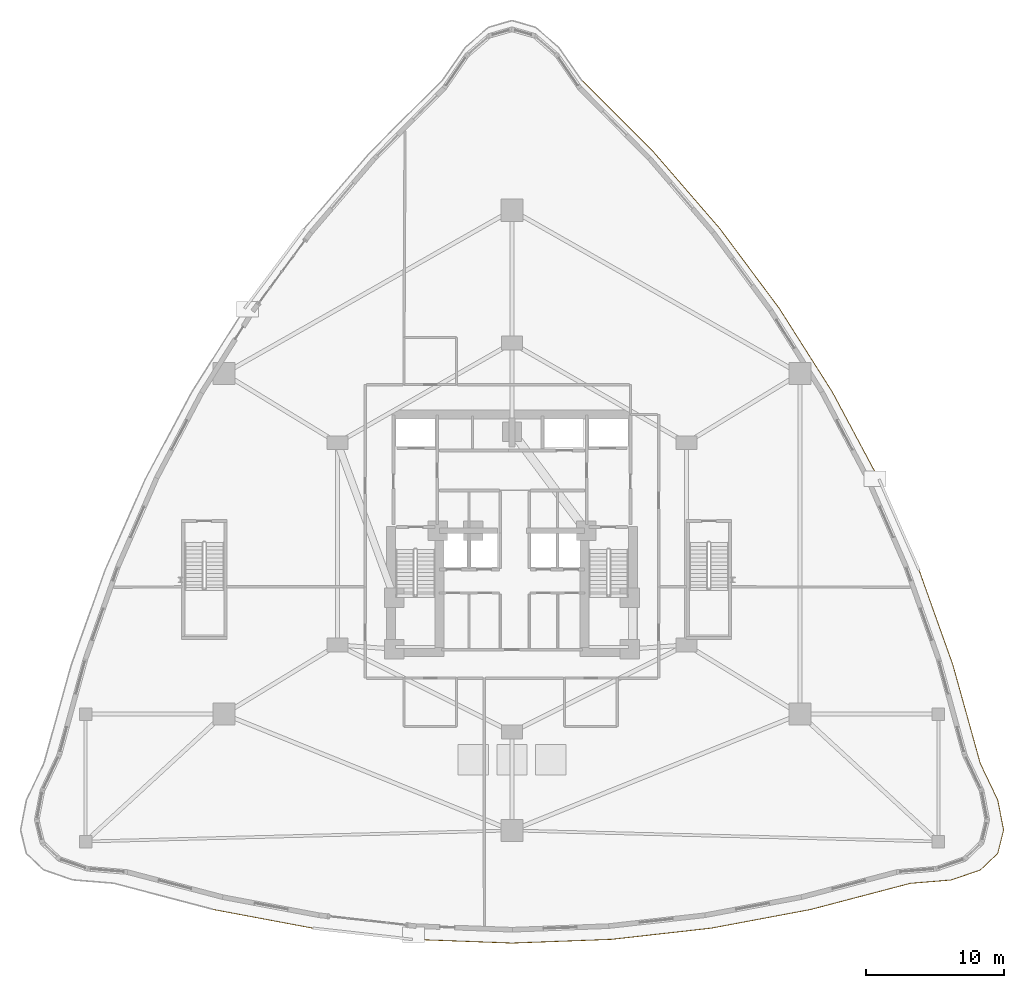
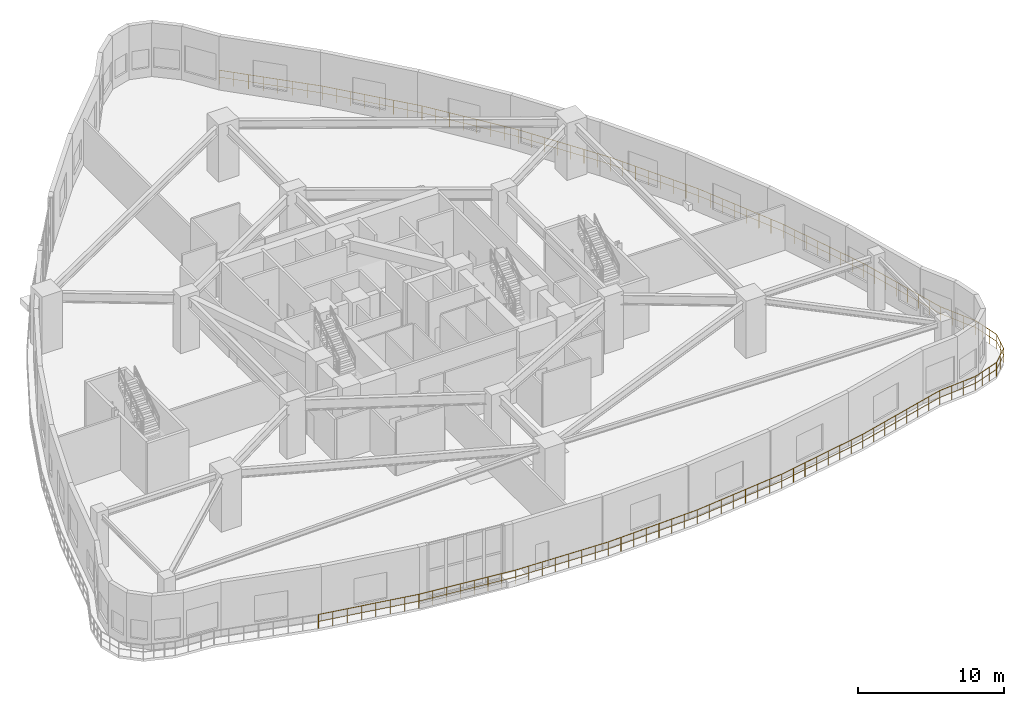
# One storey, part 21 of 23: 1 railing.
"""IFC4 building model written with IfcOpenShell, lengths in metres."""

from ifc_helpers import new_model, si_unit, direction, frame, origin, origin_2d, place, context, subcontext, project, spatial, circle, extrude, material, type_object, element, save


model = new_model("IFC4")

# Units and contexts
model_context = context("Model", 3, precision=1e-05, world=origin(), true_north=direction((0.0, 1.0)))
body_context = subcontext(model_context, "Body", "Model", "MODEL_VIEW")
ifc_project = project(units=[si_unit("LENGTHUNIT", "METRE"), si_unit("AREAUNIT", "SQUARE_METRE"), si_unit("VOLUMEUNIT", "CUBIC_METRE"), si_unit("PLANEANGLEUNIT", "RADIAN"), si_unit("MASSUNIT", "GRAM", prefix="KILO")], contexts=[model_context])

# Site, building, storey
site_placement = place(None, origin())
site = spatial("IfcSite", under=ifc_project, at=site_placement, CompositionType="ELEMENT")
building_placement = place(site_placement, origin())
building = spatial("IfcBuilding", under=site, at=building_placement, Name="Miruveldt Soraemaru", CompositionType="ELEMENT")
storey_placement = place(building_placement, frame((0.0, 0.0, 9.60009765625)))
storey = spatial("IfcBuildingStorey", under=building, at=storey_placement, Name="L03", CompositionType="ELEMENT", Elevation=9.60009765625)

# Railing
ifc_material = material(Name="Anodised aluminium EN AW-6063 T6", Category="aluminium")
railing_type = type_object("IfcRailingType", Name="RAIL-GUARD-1200", PredefinedType="GUARDRAIL", material=ifc_material)
railing_placement = place(storey_placement, frame((22.419189453125, 16.686279296875, 0.0)))
element("IfcRailing", 1, at=railing_placement, inside=storey, type_object=railing_type, Name="L03 Planted Terrace Perimeter Guardrail (B)", PredefinedType="GUARDRAIL", context=body_context, shape_type="SweptSolid", body=[
    extrude(circle(Radius=0.02392578125, at=origin_2d()), frame((0.0, 0.0, 1.17578125), z_axis=(0.982870298739, -0.184298605143, 0.0), x_axis=(0.184298605143, 0.982870298739, 0.0)), (0.0, 0.0, 1.0), 7.319091796875),
    extrude(circle(Radius=0.01611328125, at=origin_2d()), frame((0.0, 0.0, 0.60009765625), z_axis=(0.982870298739, -0.184298605143, 0.0), x_axis=(0.184298605143, 0.982870298739, 0.0)), (0.0, 0.0, 1.0), 7.319091796875),
    extrude(circle(Radius=0.02392578125, at=origin_2d()), frame((7.193603515625, -1.348876953125, 1.17578125), z_axis=(0.993730613627, -0.11180101762, 0.0), x_axis=(0.11180101762, 0.993730613627, 0.0)), (0.0, 0.0, 1.0), 7.239013671875),
    extrude(circle(Radius=0.01611328125, at=origin_2d()), frame((7.193603515625, -1.348876953125, 0.60009765625), z_axis=(0.993730613627, -0.11180101762, 0.0), x_axis=(0.11180101762, 0.993730613627, 0.0)), (0.0, 0.0, 1.0), 7.239013671875),
    extrude(circle(Radius=0.02392578125, at=origin_2d()), frame((14.38720703125, -2.158203125, 1.17578125), z_axis=(0.999297536331, -0.037475777283, 0.0), x_axis=(0.037475777283, 0.999297536331, 0.0)), (0.0, 0.0, 1.0), 7.19873046875),
    extrude(circle(Radius=0.01611328125, at=origin_2d()), frame((14.38720703125, -2.158203125, 0.60009765625), z_axis=(0.999297536331, -0.037475777283, 0.0), x_axis=(0.037475777283, 0.999297536331, 0.0)), (0.0, 0.0, 1.0), 7.19873046875),
    extrude(circle(Radius=0.02392578125, at=origin_2d()), frame((21.580810546875, -2.427978515625, 1.17578125), z_axis=(0.999297536331, 0.037475777283, 0.0), x_axis=(-0.037475777283, 0.999297536331, 0.0)), (0.0, 0.0, 1.0), 7.19873046875),
    extrude(circle(Radius=0.01611328125, at=origin_2d()), frame((21.580810546875, -2.427978515625, 0.60009765625), z_axis=(0.999297536331, 0.037475777283, 0.0), x_axis=(-0.037475777283, 0.999297536331, 0.0)), (0.0, 0.0, 1.0), 7.19873046875),
    extrude(circle(Radius=0.02392578125, at=origin_2d()), frame((28.7744140625, -2.158203125, 1.17578125), z_axis=(0.993730613627, 0.11180101762, 0.0), x_axis=(-0.11180101762, 0.993730613627, 0.0)), (0.0, 0.0, 1.0), 7.239013671875),
    extrude(circle(Radius=0.01611328125, at=origin_2d()), frame((28.7744140625, -2.158203125, 0.60009765625), z_axis=(0.993730613627, 0.11180101762, 0.0), x_axis=(-0.11180101762, 0.993730613627, 0.0)), (0.0, 0.0, 1.0), 7.239013671875),
    extrude(circle(Radius=0.02392578125, at=origin_2d()), frame((35.968017578125, -1.348876953125, 1.17578125), z_axis=(0.982870298739, 0.184298605143, 0.0), x_axis=(-0.184298605143, 0.982870298739, 0.0)), (0.0, 0.0, 1.0), 7.319091796875),
    extrude(circle(Radius=0.01611328125, at=origin_2d()), frame((35.968017578125, -1.348876953125, 0.60009765625), z_axis=(0.982870298739, 0.184298605143, 0.0), x_axis=(-0.184298605143, 0.982870298739, 0.0)), (0.0, 0.0, 1.0), 7.319091796875),
    extrude(circle(Radius=0.02392578125, at=origin_2d()), frame((43.16162109375, 0.0, 1.17578125), z_axis=(0.967237615568, 0.253872793009, 0.0), x_axis=(-0.253872793009, 0.967237615568, 0.0)), (0.0, 0.0, 1.0), 7.4375),
    extrude(circle(Radius=0.01611328125, at=origin_2d()), frame((43.16162109375, 0.0, 0.60009765625), z_axis=(0.967237615568, 0.253872793009, 0.0), x_axis=(-0.253872793009, 0.967237615568, 0.0)), (0.0, 0.0, 1.0), 7.4375),
    extrude(circle(Radius=0.02392578125, at=origin_2d()), frame((50.35546875, 1.88818359375, 1.17578125), z_axis=(0.996684342683, 0.081365355347, 0.0), x_axis=(-0.081365355347, 0.996684342683, 0.0)), (0.0, 0.0, 1.0), 2.95849609375),
    extrude(circle(Radius=0.01611328125, at=origin_2d()), frame((50.35546875, 1.88818359375, 0.60009765625), z_axis=(0.996684342683, 0.081365355347, 0.0), x_axis=(-0.081365355347, 0.996684342683, 0.0)), (0.0, 0.0, 1.0), 2.95849609375),
    extrude(circle(Radius=0.02392578125, at=origin_2d()), frame((53.30419921875, 2.12890625, 1.17578125), z_axis=(0.945906534077, 0.32443925285, 0.0), x_axis=(-0.32443925285, 0.945906534077, 0.0)), (0.0, 0.0, 1.0), 2.2265625),
    extrude(circle(Radius=0.01611328125, at=origin_2d()), frame((53.30419921875, 2.12890625, 0.60009765625), z_axis=(0.945906534077, 0.32443925285, 0.0), x_axis=(-0.32443925285, 0.945906534077, 0.0)), (0.0, 0.0, 1.0), 2.2265625),
    extrude(circle(Radius=0.02392578125, at=origin_2d()), frame((55.410400390625, 2.851318359375, 1.17578125), z_axis=(0.724034798674, 0.689763445182, 0.0), x_axis=(-0.689763445182, 0.724034798674, 0.0)), (0.0, 0.0, 1.0), 1.745361328125),
    extrude(circle(Radius=0.01611328125, at=origin_2d()), frame((55.410400390625, 2.851318359375, 0.60009765625), z_axis=(0.724034798674, 0.689763445182, 0.0), x_axis=(-0.689763445182, 0.724034798674, 0.0)), (0.0, 0.0, 1.0), 1.745361328125),
    extrude(circle(Radius=0.02392578125, at=origin_2d()), frame((56.674072265625, 4.05517578125, 1.17578125), z_axis=(0.242403365192, 0.970175555528, 0.0), x_axis=(-0.970175555528, 0.242403365192, 0.0)), (0.0, 0.0, 1.0), 1.7373046875),
    extrude(circle(Radius=0.01611328125, at=origin_2d()), frame((56.674072265625, 4.05517578125, 0.60009765625), z_axis=(0.242403365192, 0.970175555528, 0.0), x_axis=(-0.970175555528, 0.242403365192, 0.0)), (0.0, 0.0, 1.0), 1.7373046875),
    extrude(circle(Radius=0.02392578125, at=origin_2d()), frame((57.09521484375, 5.74072265625, 1.17578125), z_axis=(-0.190774933695, 0.981633803755, 0.0), x_axis=(-0.981633803755, -0.190774933695, 0.0)), (0.0, 0.0, 1.0), 2.20751953125),
    extrude(circle(Radius=0.01611328125, at=origin_2d()), frame((57.09521484375, 5.74072265625, 0.60009765625), z_axis=(-0.190774933695, 0.981633803755, 0.0), x_axis=(-0.981633803755, -0.190774933695, 0.0)), (0.0, 0.0, 1.0), 2.20751953125),
    extrude(circle(Radius=0.02392578125, at=origin_2d()), frame((56.674072265625, 7.90771484375, 1.17578125), z_axis=(-0.43063102051, 0.902528073898, 0.0), x_axis=(-0.902528073898, -0.43063102051, 0.0)), (0.0, 0.0, 1.0), 2.9345703125),
    extrude(circle(Radius=0.01611328125, at=origin_2d()), frame((56.674072265625, 7.90771484375, 0.60009765625), z_axis=(-0.43063102051, 0.902528073898, 0.0), x_axis=(-0.902528073898, -0.43063102051, 0.0)), (0.0, 0.0, 1.0), 2.9345703125),
    extrude(circle(Radius=0.02392578125, at=origin_2d()), frame((55.410400390625, 10.55615234375, 1.17578125), z_axis=(-0.267930427914, 0.963438262577, 0.0), x_axis=(-0.963438262577, -0.267930427914, 0.0)), (0.0, 0.0, 1.0), 7.381591796875),
    extrude(circle(Radius=0.01611328125, at=origin_2d()), frame((55.410400390625, 10.55615234375, 0.60009765625), z_axis=(-0.267930427914, 0.963438262577, 0.0), x_axis=(-0.963438262577, -0.267930427914, 0.0)), (0.0, 0.0, 1.0), 7.381591796875),
    extrude(circle(Radius=0.02392578125, at=origin_2d()), frame((53.4326171875, 17.66796875, 1.17578125), z_axis=(-0.335951011139, 0.941879460502, 0.0), x_axis=(-0.941879460502, -0.335951011139, 0.0)), (0.0, 0.0, 1.0), 7.26416015625),
    extrude(circle(Radius=0.01611328125, at=origin_2d()), frame((53.4326171875, 17.66796875, 0.60009765625), z_axis=(-0.335951011139, 0.941879460502, 0.0), x_axis=(-0.941879460502, -0.335951011139, 0.0)), (0.0, 0.0, 1.0), 7.26416015625),
    extrude(circle(Radius=0.02392578125, at=origin_2d()), frame((50.9921875, 24.510009765625, 1.17578125), z_axis=(-0.404065993532, 0.914729836001, 0.0), x_axis=(-0.914729836001, -0.404065993532, 0.0)), (0.0, 0.0, 1.0), 7.1845703125),
    extrude(circle(Radius=0.01611328125, at=origin_2d()), frame((50.9921875, 24.510009765625, 0.60009765625), z_axis=(-0.404065993532, 0.914729836001, 0.0), x_axis=(-0.914729836001, -0.404065993532, 0.0)), (0.0, 0.0, 1.0), 7.1845703125),
    extrude(circle(Radius=0.02392578125, at=origin_2d()), frame((48.089111328125, 31.08203125, 1.17578125), z_axis=(-0.471040430181, 0.882111621698, 0.0), x_axis=(-0.882111621698, -0.471040430181, 0.0)), (0.0, 0.0, 1.0), 7.144775390625),
    extrude(circle(Radius=0.01611328125, at=origin_2d()), frame((48.089111328125, 31.08203125, 0.60009765625), z_axis=(-0.471040430181, 0.882111621698, 0.0), x_axis=(-0.882111621698, -0.471040430181, 0.0)), (0.0, 0.0, 1.0), 7.144775390625),
    extrude(circle(Radius=0.02392578125, at=origin_2d()), frame((44.7236328125, 37.384521484375, 1.17578125), z_axis=(-0.535791647288, 0.844350229879, 0.0), x_axis=(-0.844350229879, -0.535791647288, 0.0)), (0.0, 0.0, 1.0), 7.144775390625),
    extrude(circle(Radius=0.01611328125, at=origin_2d()), frame((44.7236328125, 37.384521484375, 0.60009765625), z_axis=(-0.535791647288, 0.844350229879, 0.0), x_axis=(-0.844350229879, -0.535791647288, 0.0)), (0.0, 0.0, 1.0), 7.144775390625),
    extrude(circle(Radius=0.02392578125, at=origin_2d()), frame((40.8955078125, 43.417236328125, 1.17578125), z_axis=(-0.597196383066, 0.802095056744, 0.0), x_axis=(-0.802095056744, -0.597196383066, 0.0)), (0.0, 0.0, 1.0), 7.184814453125),
    extrude(circle(Radius=0.01611328125, at=origin_2d()), frame((40.8955078125, 43.417236328125, 0.60009765625), z_axis=(-0.597196383066, 0.802095056744, 0.0), x_axis=(-0.802095056744, -0.597196383066, 0.0)), (0.0, 0.0, 1.0), 7.184814453125),
    extrude(circle(Radius=0.02392578125, at=origin_2d()), frame((36.604736328125, 49.18017578125, 1.17578125), z_axis=(-0.654335352185, 0.756204500702, 0.0), x_axis=(-0.756204500702, -0.654335352185, 0.0)), (0.0, 0.0, 1.0), 7.26416015625),
    extrude(circle(Radius=0.01611328125, at=origin_2d()), frame((36.604736328125, 49.18017578125, 0.60009765625), z_axis=(-0.654335352185, 0.756204500702, 0.0), x_axis=(-0.756204500702, -0.654335352185, 0.0)), (0.0, 0.0, 1.0), 7.26416015625),
    extrude(circle(Radius=0.02392578125, at=origin_2d()), frame((31.8515625, 54.67333984375, 1.17578125), z_axis=(-0.706573417823, 0.707639742543, 0.0), x_axis=(-0.707639742543, -0.706573417823, 0.0)), (0.0, 0.0, 1.0), 7.32666015625),
    extrude(circle(Radius=0.01611328125, at=origin_2d()), frame((31.8515625, 54.67333984375, 0.60009765625), z_axis=(-0.706573417823, 0.707639742543, 0.0), x_axis=(-0.707639742543, -0.706573417823, 0.0)), (0.0, 0.0, 1.0), 7.32666015625),
    extrude(circle(Radius=0.02099609375, at=origin_2d()), origin(), (0.0, 0.0, 1.0), 1.15185546875),
    extrude(circle(Radius=0.02099609375, at=origin_2d()), frame((1.027587890625, -0.192626953125, 0.0)), (0.0, 0.0, 1.0), 1.15185546875),
    extrude(circle(Radius=0.02099609375, at=origin_2d()), frame((2.055419921875, -0.385498046875, 0.0)), (0.0, 0.0, 1.0), 1.15185546875),
    extrude(circle(Radius=0.02099609375, at=origin_2d()), frame((3.0830078125, -0.578125, 0.0)), (0.0, 0.0, 1.0), 1.15185546875),
    extrude(circle(Radius=0.02099609375, at=origin_2d()), frame((4.110595703125, -0.770751953125, 0.0)), (0.0, 0.0, 1.0), 1.15185546875),
    extrude(circle(Radius=0.02099609375, at=origin_2d()), frame((5.13818359375, -0.96337890625, 0.0)), (0.0, 0.0, 1.0), 1.15185546875),
    extrude(circle(Radius=0.02099609375, at=origin_2d()), frame((6.166015625, -1.15625, 0.0)), (0.0, 0.0, 1.0), 1.15185546875),
    extrude(circle(Radius=0.02099609375, at=origin_2d()), frame((7.193603515625, -1.348876953125, 0.0)), (0.0, 0.0, 1.0), 1.15185546875),
    extrude(circle(Radius=0.02099609375, at=origin_2d()), frame((8.22119140625, -1.464599609375, 0.0)), (0.0, 0.0, 1.0), 1.15185546875),
    extrude(circle(Radius=0.02099609375, at=origin_2d()), frame((9.2490234375, -1.580078125, 0.0)), (0.0, 0.0, 1.0), 1.15185546875),
    extrude(circle(Radius=0.02099609375, at=origin_2d()), frame((10.276611328125, -1.69580078125, 0.0)), (0.0, 0.0, 1.0), 1.15185546875),
    extrude(circle(Radius=0.02099609375, at=origin_2d()), frame((11.30419921875, -1.811279296875, 0.0)), (0.0, 0.0, 1.0), 1.15185546875),
    extrude(circle(Radius=0.02099609375, at=origin_2d()), frame((12.331787109375, -1.927001953125, 0.0)), (0.0, 0.0, 1.0), 1.15185546875),
    extrude(circle(Radius=0.02099609375, at=origin_2d()), frame((13.359619140625, -2.04248046875, 0.0)), (0.0, 0.0, 1.0), 1.15185546875),
    extrude(circle(Radius=0.02099609375, at=origin_2d()), frame((14.38720703125, -2.158203125, 0.0)), (0.0, 0.0, 1.0), 1.15185546875),
    extrude(circle(Radius=0.02099609375, at=origin_2d()), frame((15.414794921875, -2.19677734375, 0.0)), (0.0, 0.0, 1.0), 1.15185546875),
    extrude(circle(Radius=0.02099609375, at=origin_2d()), frame((16.442626953125, -2.2353515625, 0.0)), (0.0, 0.0, 1.0), 1.15185546875),
    extrude(circle(Radius=0.02099609375, at=origin_2d()), frame((17.47021484375, -2.27392578125, 0.0)), (0.0, 0.0, 1.0), 1.15185546875),
    extrude(circle(Radius=0.02099609375, at=origin_2d()), frame((18.497802734375, -2.312255859375, 0.0)), (0.0, 0.0, 1.0), 1.15185546875),
    extrude(circle(Radius=0.02099609375, at=origin_2d()), frame((19.525390625, -2.350830078125, 0.0)), (0.0, 0.0, 1.0), 1.15185546875),
    extrude(circle(Radius=0.02099609375, at=origin_2d()), frame((20.55322265625, -2.389404296875, 0.0)), (0.0, 0.0, 1.0), 1.15185546875),
    extrude(circle(Radius=0.02099609375, at=origin_2d()), frame((21.580810546875, -2.427978515625, 0.0)), (0.0, 0.0, 1.0), 1.15185546875),
    extrude(circle(Radius=0.02099609375, at=origin_2d()), frame((22.6083984375, -2.389404296875, 0.0)), (0.0, 0.0, 1.0), 1.15185546875),
    extrude(circle(Radius=0.02099609375, at=origin_2d()), frame((23.63623046875, -2.350830078125, 0.0)), (0.0, 0.0, 1.0), 1.15185546875),
    extrude(circle(Radius=0.02099609375, at=origin_2d()), frame((24.663818359375, -2.312255859375, 0.0)), (0.0, 0.0, 1.0), 1.15185546875),
    extrude(circle(Radius=0.02099609375, at=origin_2d()), frame((25.69140625, -2.27392578125, 0.0)), (0.0, 0.0, 1.0), 1.15185546875),
    extrude(circle(Radius=0.02099609375, at=origin_2d()), frame((26.718994140625, -2.2353515625, 0.0)), (0.0, 0.0, 1.0), 1.15185546875),
    extrude(circle(Radius=0.02099609375, at=origin_2d()), frame((27.746826171875, -2.19677734375, 0.0)), (0.0, 0.0, 1.0), 1.15185546875),
    extrude(circle(Radius=0.02099609375, at=origin_2d()), frame((28.7744140625, -2.158203125, 0.0)), (0.0, 0.0, 1.0), 1.15185546875),
    extrude(circle(Radius=0.02099609375, at=origin_2d()), frame((29.802001953125, -2.04248046875, 0.0)), (0.0, 0.0, 1.0), 1.15185546875),
    extrude(circle(Radius=0.02099609375, at=origin_2d()), frame((30.829833984375, -1.927001953125, 0.0)), (0.0, 0.0, 1.0), 1.15185546875),
    extrude(circle(Radius=0.02099609375, at=origin_2d()), frame((31.857421875, -1.811279296875, 0.0)), (0.0, 0.0, 1.0), 1.15185546875),
    extrude(circle(Radius=0.02099609375, at=origin_2d()), frame((32.885009765625, -1.69580078125, 0.0)), (0.0, 0.0, 1.0), 1.15185546875),
    extrude(circle(Radius=0.02099609375, at=origin_2d()), frame((33.91259765625, -1.580078125, 0.0)), (0.0, 0.0, 1.0), 1.15185546875),
    extrude(circle(Radius=0.02099609375, at=origin_2d()), frame((34.9404296875, -1.464599609375, 0.0)), (0.0, 0.0, 1.0), 1.15185546875),
    extrude(circle(Radius=0.02099609375, at=origin_2d()), frame((35.968017578125, -1.348876953125, 0.0)), (0.0, 0.0, 1.0), 1.15185546875),
    extrude(circle(Radius=0.02099609375, at=origin_2d()), frame((36.99560546875, -1.15625, 0.0)), (0.0, 0.0, 1.0), 1.15185546875),
    extrude(circle(Radius=0.02099609375, at=origin_2d()), frame((38.0234375, -0.96337890625, 0.0)), (0.0, 0.0, 1.0), 1.15185546875),
    extrude(circle(Radius=0.02099609375, at=origin_2d()), frame((39.051025390625, -0.770751953125, 0.0)), (0.0, 0.0, 1.0), 1.15185546875),
    extrude(circle(Radius=0.02099609375, at=origin_2d()), frame((40.07861328125, -0.578125, 0.0)), (0.0, 0.0, 1.0), 1.15185546875),
    extrude(circle(Radius=0.02099609375, at=origin_2d()), frame((41.106201171875, -0.385498046875, 0.0)), (0.0, 0.0, 1.0), 1.15185546875),
    extrude(circle(Radius=0.02099609375, at=origin_2d()), frame((42.134033203125, -0.192626953125, 0.0)), (0.0, 0.0, 1.0), 1.15185546875),
    extrude(circle(Radius=0.02099609375, at=origin_2d()), frame((43.16162109375, 0.0, 0.0)), (0.0, 0.0, 1.0), 1.15185546875),
    extrude(circle(Radius=0.02099609375, at=origin_2d()), frame((44.189208984375, 0.269775390625, 0.0)), (0.0, 0.0, 1.0), 1.15185546875),
    extrude(circle(Radius=0.02099609375, at=origin_2d()), frame((45.217041015625, 0.53955078125, 0.0)), (0.0, 0.0, 1.0), 1.15185546875),
    extrude(circle(Radius=0.02099609375, at=origin_2d()), frame((46.24462890625, 0.809326171875, 0.0)), (0.0, 0.0, 1.0), 1.15185546875),
    extrude(circle(Radius=0.02099609375, at=origin_2d()), frame((47.2724609375, 1.078857421875, 0.0)), (0.0, 0.0, 1.0), 1.15185546875),
    extrude(circle(Radius=0.02099609375, at=origin_2d()), frame((48.300048828125, 1.3486328125, 0.0)), (0.0, 0.0, 1.0), 1.15185546875),
    extrude(circle(Radius=0.02099609375, at=origin_2d()), frame((49.327880859375, 1.618408203125, 0.0)), (0.0, 0.0, 1.0), 1.15185546875),
    extrude(circle(Radius=0.02099609375, at=origin_2d()), frame((50.35546875, 1.88818359375, 0.0)), (0.0, 0.0, 1.0), 1.15185546875),
    extrude(circle(Radius=0.02099609375, at=origin_2d()), frame((51.33837890625, 1.968505859375, 0.0)), (0.0, 0.0, 1.0), 1.15185546875),
    extrude(circle(Radius=0.02099609375, at=origin_2d()), frame((52.3212890625, 2.048583984375, 0.0)), (0.0, 0.0, 1.0), 1.15185546875),
    extrude(circle(Radius=0.02099609375, at=origin_2d()), frame((53.30419921875, 2.12890625, 0.0)), (0.0, 0.0, 1.0), 1.15185546875),
    extrude(circle(Radius=0.02099609375, at=origin_2d()), frame((54.00634765625, 2.36962890625, 0.0)), (0.0, 0.0, 1.0), 1.15185546875),
    extrude(circle(Radius=0.02099609375, at=origin_2d()), frame((54.708251953125, 2.610595703125, 0.0)), (0.0, 0.0, 1.0), 1.15185546875),
    extrude(circle(Radius=0.02099609375, at=origin_2d()), frame((55.410400390625, 2.851318359375, 0.0)), (0.0, 0.0, 1.0), 1.15185546875),
    extrude(circle(Radius=0.02099609375, at=origin_2d()), frame((56.042236328125, 3.453125, 0.0)), (0.0, 0.0, 1.0), 1.15185546875),
    extrude(circle(Radius=0.02099609375, at=origin_2d()), frame((56.674072265625, 4.05517578125, 0.0)), (0.0, 0.0, 1.0), 1.15185546875),
    extrude(circle(Radius=0.02099609375, at=origin_2d()), frame((56.884765625, 4.89794921875, 0.0)), (0.0, 0.0, 1.0), 1.15185546875),
    extrude(circle(Radius=0.02099609375, at=origin_2d()), frame((57.09521484375, 5.74072265625, 0.0)), (0.0, 0.0, 1.0), 1.15185546875),
    extrude(circle(Radius=0.02099609375, at=origin_2d()), frame((56.954833984375, 6.463134765625, 0.0)), (0.0, 0.0, 1.0), 1.15185546875),
    extrude(circle(Radius=0.02099609375, at=origin_2d()), frame((56.814453125, 7.185302734375, 0.0)), (0.0, 0.0, 1.0), 1.15185546875),
    extrude(circle(Radius=0.02099609375, at=origin_2d()), frame((56.674072265625, 7.90771484375, 0.0)), (0.0, 0.0, 1.0), 1.15185546875),
    extrude(circle(Radius=0.02099609375, at=origin_2d()), frame((56.2529296875, 8.79052734375, 0.0)), (0.0, 0.0, 1.0), 1.15185546875),
    extrude(circle(Radius=0.02099609375, at=origin_2d()), frame((55.83154296875, 9.67333984375, 0.0)), (0.0, 0.0, 1.0), 1.15185546875),
    extrude(circle(Radius=0.02099609375, at=origin_2d()), frame((55.410400390625, 10.55615234375, 0.0)), (0.0, 0.0, 1.0), 1.15185546875),
    extrude(circle(Radius=0.02099609375, at=origin_2d()), frame((55.1279296875, 11.572021484375, 0.0)), (0.0, 0.0, 1.0), 1.15185546875),
    extrude(circle(Radius=0.02099609375, at=origin_2d()), frame((54.84521484375, 12.588134765625, 0.0)), (0.0, 0.0, 1.0), 1.15185546875),
    extrude(circle(Radius=0.02099609375, at=origin_2d()), frame((54.562744140625, 13.60400390625, 0.0)), (0.0, 0.0, 1.0), 1.15185546875),
    extrude(circle(Radius=0.02099609375, at=origin_2d()), frame((54.2802734375, 14.6201171875, 0.0)), (0.0, 0.0, 1.0), 1.15185546875),
    extrude(circle(Radius=0.02099609375, at=origin_2d()), frame((53.997802734375, 15.635986328125, 0.0)), (0.0, 0.0, 1.0), 1.15185546875),
    extrude(circle(Radius=0.02099609375, at=origin_2d()), frame((53.715087890625, 16.652099609375, 0.0)), (0.0, 0.0, 1.0), 1.15185546875),
    extrude(circle(Radius=0.02099609375, at=origin_2d()), frame((53.4326171875, 17.66796875, 0.0)), (0.0, 0.0, 1.0), 1.15185546875),
    extrude(circle(Radius=0.02099609375, at=origin_2d()), frame((53.083984375, 18.6455078125, 0.0)), (0.0, 0.0, 1.0), 1.15185546875),
    extrude(circle(Radius=0.02099609375, at=origin_2d()), frame((52.7353515625, 19.622802734375, 0.0)), (0.0, 0.0, 1.0), 1.15185546875),
    extrude(circle(Radius=0.02099609375, at=origin_2d()), frame((52.38671875, 20.600341796875, 0.0)), (0.0, 0.0, 1.0), 1.15185546875),
    extrude(circle(Radius=0.02099609375, at=origin_2d()), frame((52.0380859375, 21.57763671875, 0.0)), (0.0, 0.0, 1.0), 1.15185546875),
    extrude(circle(Radius=0.02099609375, at=origin_2d()), frame((51.689453125, 22.55517578125, 0.0)), (0.0, 0.0, 1.0), 1.15185546875),
    extrude(circle(Radius=0.02099609375, at=origin_2d()), frame((51.3408203125, 23.532470703125, 0.0)), (0.0, 0.0, 1.0), 1.15185546875),
    extrude(circle(Radius=0.02099609375, at=origin_2d()), frame((50.9921875, 24.510009765625, 0.0)), (0.0, 0.0, 1.0), 1.15185546875),
    extrude(circle(Radius=0.02099609375, at=origin_2d()), frame((50.577392578125, 25.448974609375, 0.0)), (0.0, 0.0, 1.0), 1.15185546875),
    extrude(circle(Radius=0.02099609375, at=origin_2d()), frame((50.162841796875, 26.3876953125, 0.0)), (0.0, 0.0, 1.0), 1.15185546875),
    extrude(circle(Radius=0.02099609375, at=origin_2d()), frame((49.748046875, 27.32666015625, 0.0)), (0.0, 0.0, 1.0), 1.15185546875),
    extrude(circle(Radius=0.02099609375, at=origin_2d()), frame((49.333251953125, 28.265380859375, 0.0)), (0.0, 0.0, 1.0), 1.15185546875),
    extrude(circle(Radius=0.02099609375, at=origin_2d()), frame((48.91845703125, 29.204345703125, 0.0)), (0.0, 0.0, 1.0), 1.15185546875),
    extrude(circle(Radius=0.02099609375, at=origin_2d()), frame((48.50390625, 30.14306640625, 0.0)), (0.0, 0.0, 1.0), 1.15185546875),
    extrude(circle(Radius=0.02099609375, at=origin_2d()), frame((48.089111328125, 31.08203125, 0.0)), (0.0, 0.0, 1.0), 1.15185546875),
    extrude(circle(Radius=0.02099609375, at=origin_2d()), frame((47.6083984375, 31.982421875, 0.0)), (0.0, 0.0, 1.0), 1.15185546875),
    extrude(circle(Radius=0.02099609375, at=origin_2d()), frame((47.12744140625, 32.8828125, 0.0)), (0.0, 0.0, 1.0), 1.15185546875),
    extrude(circle(Radius=0.02099609375, at=origin_2d()), frame((46.646728515625, 33.783203125, 0.0)), (0.0, 0.0, 1.0), 1.15185546875),
    extrude(circle(Radius=0.02099609375, at=origin_2d()), frame((46.166015625, 34.683349609375, 0.0)), (0.0, 0.0, 1.0), 1.15185546875),
    extrude(circle(Radius=0.02099609375, at=origin_2d()), frame((45.685302734375, 35.583740234375, 0.0)), (0.0, 0.0, 1.0), 1.15185546875),
    extrude(circle(Radius=0.02099609375, at=origin_2d()), frame((45.204345703125, 36.484130859375, 0.0)), (0.0, 0.0, 1.0), 1.15185546875),
    extrude(circle(Radius=0.02099609375, at=origin_2d()), frame((44.7236328125, 37.384521484375, 0.0)), (0.0, 0.0, 1.0), 1.15185546875),
    extrude(circle(Radius=0.02099609375, at=origin_2d()), frame((44.1767578125, 38.246337890625, 0.0)), (0.0, 0.0, 1.0), 1.15185546875),
    extrude(circle(Radius=0.02099609375, at=origin_2d()), frame((43.6298828125, 39.108154296875, 0.0)), (0.0, 0.0, 1.0), 1.15185546875),
    extrude(circle(Radius=0.02099609375, at=origin_2d()), frame((43.0830078125, 39.969970703125, 0.0)), (0.0, 0.0, 1.0), 1.15185546875),
    extrude(circle(Radius=0.02099609375, at=origin_2d()), frame((42.5361328125, 40.831787109375, 0.0)), (0.0, 0.0, 1.0), 1.15185546875),
    extrude(circle(Radius=0.02099609375, at=origin_2d()), frame((41.9892578125, 41.693603515625, 0.0)), (0.0, 0.0, 1.0), 1.15185546875),
    extrude(circle(Radius=0.02099609375, at=origin_2d()), frame((41.4423828125, 42.555419921875, 0.0)), (0.0, 0.0, 1.0), 1.15185546875),
    extrude(circle(Radius=0.02099609375, at=origin_2d()), frame((40.8955078125, 43.417236328125, 0.0)), (0.0, 0.0, 1.0), 1.15185546875),
    extrude(circle(Radius=0.02099609375, at=origin_2d()), frame((40.282470703125, 44.240478515625, 0.0)), (0.0, 0.0, 1.0), 1.15185546875),
    extrude(circle(Radius=0.02099609375, at=origin_2d()), frame((39.669677734375, 45.063720703125, 0.0)), (0.0, 0.0, 1.0), 1.15185546875),
    extrude(circle(Radius=0.02099609375, at=origin_2d()), frame((39.056640625, 45.886962890625, 0.0)), (0.0, 0.0, 1.0), 1.15185546875),
    extrude(circle(Radius=0.02099609375, at=origin_2d()), frame((38.443603515625, 46.71044921875, 0.0)), (0.0, 0.0, 1.0), 1.15185546875),
    extrude(circle(Radius=0.02099609375, at=origin_2d()), frame((37.83056640625, 47.53369140625, 0.0)), (0.0, 0.0, 1.0), 1.15185546875),
    extrude(circle(Radius=0.02099609375, at=origin_2d()), frame((37.2177734375, 48.35693359375, 0.0)), (0.0, 0.0, 1.0), 1.15185546875),
    extrude(circle(Radius=0.02099609375, at=origin_2d()), frame((36.604736328125, 49.18017578125, 0.0)), (0.0, 0.0, 1.0), 1.15185546875),
    extrude(circle(Radius=0.02099609375, at=origin_2d()), frame((35.92578125, 49.96484375, 0.0)), (0.0, 0.0, 1.0), 1.15185546875),
    extrude(circle(Radius=0.02099609375, at=origin_2d()), frame((35.24658203125, 50.749755859375, 0.0)), (0.0, 0.0, 1.0), 1.15185546875),
    extrude(circle(Radius=0.02099609375, at=origin_2d()), frame((34.567626953125, 51.534423828125, 0.0)), (0.0, 0.0, 1.0), 1.15185546875),
    extrude(circle(Radius=0.02099609375, at=origin_2d()), frame((33.888671875, 52.319091796875, 0.0)), (0.0, 0.0, 1.0), 1.15185546875),
    extrude(circle(Radius=0.02099609375, at=origin_2d()), frame((33.209716796875, 53.103759765625, 0.0)), (0.0, 0.0, 1.0), 1.15185546875),
    extrude(circle(Radius=0.02099609375, at=origin_2d()), frame((32.530517578125, 53.888671875, 0.0)), (0.0, 0.0, 1.0), 1.15185546875),
    extrude(circle(Radius=0.02099609375, at=origin_2d()), frame((31.8515625, 54.67333984375, 0.0)), (0.0, 0.0, 1.0), 1.15185546875),
    extrude(circle(Radius=0.02099609375, at=origin_2d()), frame((31.112060546875, 55.4140625, 0.0)), (0.0, 0.0, 1.0), 1.15185546875),
    extrude(circle(Radius=0.02099609375, at=origin_2d()), frame((30.37255859375, 56.154541015625, 0.0)), (0.0, 0.0, 1.0), 1.15185546875),
    extrude(circle(Radius=0.02099609375, at=origin_2d()), frame((29.633056640625, 56.895263671875, 0.0)), (0.0, 0.0, 1.0), 1.15185546875),
    extrude(circle(Radius=0.02099609375, at=origin_2d()), frame((28.893310546875, 57.635986328125, 0.0)), (0.0, 0.0, 1.0), 1.15185546875),
    extrude(circle(Radius=0.02099609375, at=origin_2d()), frame((28.15380859375, 58.376708984375, 0.0)), (0.0, 0.0, 1.0), 1.15185546875),
    extrude(circle(Radius=0.02099609375, at=origin_2d()), frame((27.414306640625, 59.1171875, 0.0)), (0.0, 0.0, 1.0), 1.15185546875),
    extrude(circle(Radius=0.02099609375, at=origin_2d()), frame((26.6748046875, 59.85791015625, 0.0)), (0.0, 0.0, 1.0), 1.15185546875),
])

save(model, "model.ifc")
